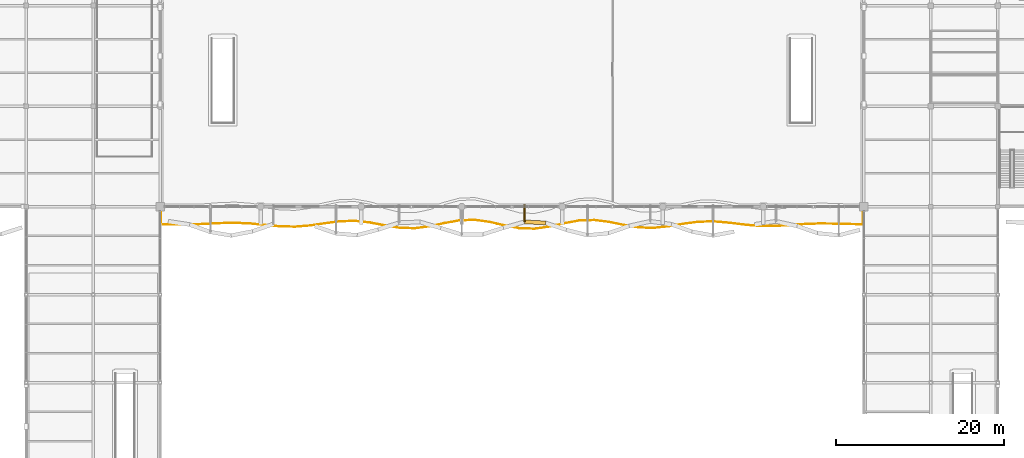
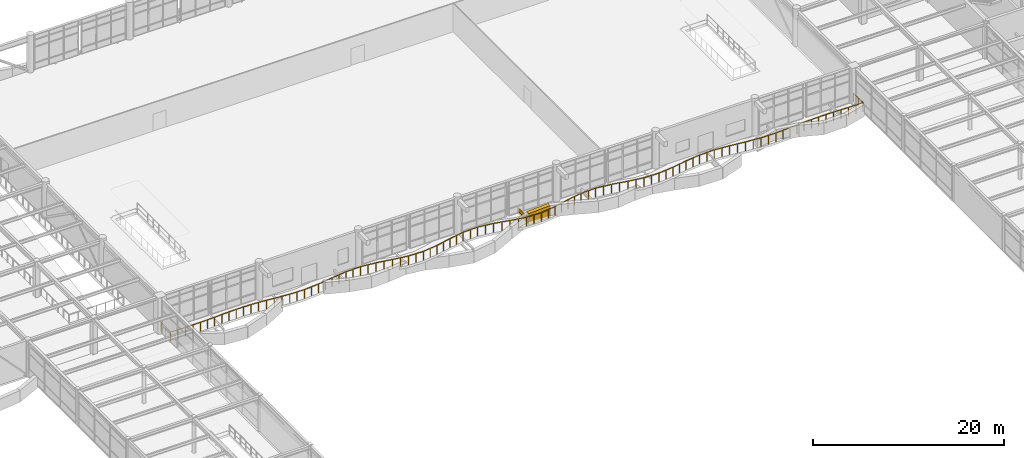
# One storey, part 60 of 72: 3 coverings, 1 railing.
"""IFC4 building model written with IfcOpenShell, lengths in metres."""

from ifc_helpers import new_model, si_unit, direction, frame, frame_2d, origin, origin_2d, place, context, subcontext, project, spatial, polyline, rectangle, circle, outline, extrude, material, layer, layer_set, type_object, element, save


model = new_model("IFC4")

# Units and contexts
model_context = context("Model", 3, precision=1e-05, world=origin(), true_north=direction((0.0, 1.0)))
body_context = subcontext(model_context, "Body", "Model", "MODEL_VIEW")
ifc_project = project(units=[si_unit("LENGTHUNIT", "METRE"), si_unit("AREAUNIT", "SQUARE_METRE"), si_unit("VOLUMEUNIT", "CUBIC_METRE"), si_unit("PLANEANGLEUNIT", "RADIAN"), si_unit("MASSUNIT", "GRAM", prefix="KILO")], contexts=[model_context])

# Site, building, storey
site_placement = place(None, origin())
site = spatial("IfcSite", under=ifc_project, at=site_placement, CompositionType="ELEMENT")
building_placement = place(site_placement, origin())
building = spatial("IfcBuilding", under=site, at=building_placement, Name="Keelwater Ferry Terminal", CompositionType="ELEMENT")
storey_placement = place(building_placement, frame((0.0, 0.0, 5.39990234375)))
storey = spatial("IfcBuildingStorey", under=building, at=storey_placement, Name="L01", CompositionType="ELEMENT", Elevation=5.39990234375)

# Railing
ifc_material_1 = material(Name="Marine stainless steel and laminated glass balustrade", Category="steel")
railing_type = type_object("IfcRailingType", Name="BL-115 Waterfront Promenade Balustrade", PredefinedType="BALUSTRADE", material=ifc_material_1)
railing_placement = place(storey_placement, frame((48.080078125, 41.949951171875, 0.0)))
element("IfcRailing", 1, at=railing_placement, inside=storey, type_object=railing_type, Name="L01 Waterfront Balcony Guard 1", PredefinedType="BALUSTRADE", context=body_context, shape_type="SweptSolid", body=[
    extrude(circle(Radius=0.02685546875, at=origin_2d()), frame((0.0, 0.0, 1.123046875), z_axis=(0.0, -1.0, 0.0), x_axis=(1.0, 0.0, 0.0)), (0.0, 0.0, 1.0), 2.070068359375),
    extrude(circle(Radius=0.02685546875, at=origin_2d()), frame((0.0, -2.070068359375, 1.123046875), z_axis=(0.999819114589, -0.01901941384, 0.0), x_axis=(0.01901941384, 0.999819114589, 0.0)), (0.0, 0.0, 1.0), 1.7841796875),
    extrude(circle(Radius=0.02685546875, at=origin_2d()), frame((1.783935546875, -2.10400390625, 1.123046875), z_axis=(0.999994147142, 0.003421356737, 0.0), x_axis=(-0.003421356737, 0.999994147142, 0.0)), (0.0, 0.0, 1.0), 1.783935546875),
    extrude(circle(Radius=0.02685546875, at=origin_2d()), frame((3.56787109375, -2.097900390625, 1.123046875), z_axis=(0.999228690808, 0.039268606636, 0.0), x_axis=(-0.039268606636, 0.999228690808, 0.0)), (0.0, 0.0, 1.0), 1.784423828125),
    extrude(circle(Radius=0.02685546875, at=origin_2d()), frame((5.350830078125, -2.02783203125, 1.123046875), z_axis=(0.998679046807, 0.051382501587, 0.0), x_axis=(-0.051382501587, 0.998679046807, 0.0)), (0.0, 0.0, 1.0), 1.78662109375),
    extrude(circle(Radius=0.02685546875, at=origin_2d()), frame((7.135009765625, -1.93603515625, 1.123046875), z_axis=(0.999816503278, 0.019156194123, 0.0), x_axis=(-0.019156194123, 0.999816503278, 0.0)), (0.0, 0.0, 1.0), 1.7841796875),
    extrude(circle(Radius=0.02685546875, at=origin_2d()), frame((8.9189453125, -1.90185546875, 1.123046875), z_axis=(0.998944441552, -0.045934765617, 0.0), x_axis=(0.045934765617, 0.998944441552, 0.0)), (0.0, 0.0, 1.0), 1.785888671875),
    extrude(circle(Radius=0.02685546875, at=origin_2d()), frame((10.702880859375, -1.98388671875, 1.123046875), z_axis=(0.995220222911, -0.097656069499, 0.0), x_axis=(0.097656069499, 0.995220222911, 0.0)), (0.0, 0.0, 1.0), 1.79248046875),
    extrude(circle(Radius=0.02685546875, at=origin_2d()), frame((12.48681640625, -2.158935546875, 1.123046875), z_axis=(0.995698877911, -0.09264849986, 0.0), x_axis=(0.09264849986, 0.995698877911, 0.0)), (0.0, 0.0, 1.0), 1.7919921875),
    extrude(circle(Radius=0.02685546875, at=origin_2d()), frame((14.27099609375, -2.324951171875, 1.123046875), z_axis=(0.999783472278, -0.0208088577, 0.0), x_axis=(0.0208088577, 0.999783472278, 0.0)), (0.0, 0.0, 1.0), 1.783447265625),
    extrude(circle(Radius=0.02685546875, at=origin_2d()), frame((16.053955078125, -2.362060546875, 1.123046875), z_axis=(0.996667890588, 0.081566634538, 0.0), x_axis=(-0.081566634538, 0.996667890588, 0.0)), (0.0, 0.0, 1.0), 1.789794921875),
    extrude(circle(Radius=0.02685546875, at=origin_2d()), frame((17.837890625, -2.216064453125, 1.123046875), z_axis=(0.988897604589, 0.148598545209, 0.0), x_axis=(-0.148598545209, 0.988897604589, 0.0)), (0.0, 0.0, 1.0), 1.803955078125),
    extrude(circle(Radius=0.02685546875, at=origin_2d()), frame((19.621826171875, -1.947998046875, 1.123046875), z_axis=(0.991569362267, 0.129577003416, 0.0), x_axis=(-0.129577003416, 0.991569362267, 0.0)), (0.0, 0.0, 1.0), 1.79931640625),
    extrude(circle(Radius=0.02685546875, at=origin_2d()), frame((21.406005859375, -1.71484375, 1.123046875), z_axis=(0.9997100466, 0.024079508444, 0.0), x_axis=(-0.024079508444, 0.9997100466, 0.0)), (0.0, 0.0, 1.0), 1.784423828125),
    extrude(circle(Radius=0.02685546875, at=origin_2d()), frame((23.18994140625, -1.671875, 1.123046875), z_axis=(0.993896997726, -0.11031209322, 0.0), x_axis=(0.11031209322, 0.993896997726, 0.0)), (0.0, 0.0, 1.0), 1.794921875),
    extrude(circle(Radius=0.02685546875, at=origin_2d()), frame((24.973876953125, -1.869873046875, 1.123046875), z_axis=(0.982191116652, -0.187884566611, 0.0), x_axis=(0.187884566611, 0.982191116652, 0.0)), (0.0, 0.0, 1.0), 1.815185546875),
    extrude(circle(Radius=0.02685546875, at=origin_2d()), frame((26.7568359375, -2.2109375, 1.123046875), z_axis=(0.98738323477, -0.158348816523, 0.0), x_axis=(0.158348816523, 0.98738323477, 0.0)), (0.0, 0.0, 1.0), 1.806884765625),
    extrude(circle(Radius=0.02685546875, at=origin_2d()), frame((28.541015625, -2.4970703125, 1.123046875), z_axis=(0.999610508185, -0.027907560376, 0.0), x_axis=(0.027907560376, 0.999610508185, 0.0)), (0.0, 0.0, 1.0), 1.78466796875),
    extrude(circle(Radius=0.02685546875, at=origin_2d()), frame((30.324951171875, -2.546875, 1.123046875), z_axis=(0.991654055818, 0.128927241416, 0.0), x_axis=(-0.128927241416, 0.991654055818, 0.0)), (0.0, 0.0, 1.0), 1.798828125),
    extrude(circle(Radius=0.02685546875, at=origin_2d()), frame((32.10888671875, -2.31494140625, 1.123046875), z_axis=(0.976939250884, 0.213517446786, 0.0), x_axis=(-0.213517446786, 0.976939250884, 0.0)), (0.0, 0.0, 1.0), 1.825927734375),
    extrude(circle(Radius=0.02685546875, at=origin_2d()), frame((33.892822265625, -1.925048828125, 1.123046875), z_axis=(0.984193653701, 0.177095601343, 0.0), x_axis=(-0.177095601343, 0.984193653701, 0.0)), (0.0, 0.0, 1.0), 1.812744140625),
    extrude(circle(Radius=0.02685546875, at=origin_2d()), frame((35.677001953125, -1.60400390625, 1.123046875), z_axis=(0.999487062006, 0.032025191361, 0.0), x_axis=(-0.032025191361, 0.999487062006, 0.0)), (0.0, 0.0, 1.0), 1.783935546875),
    extrude(circle(Radius=0.02685546875, at=origin_2d()), frame((37.4599609375, -1.546875, 1.123046875), z_axis=(0.990471226052, -0.137719825601, 0.0), x_axis=(0.137719825601, 0.990471226052, 0.0)), (0.0, 0.0, 1.0), 1.801025390625),
    extrude(circle(Radius=0.02685546875, at=origin_2d()), frame((39.243896484375, -1.794921875, 1.123046875), z_axis=(0.974339480694, -0.225083487534, 0.0), x_axis=(0.225083487534, 0.974339480694, 0.0)), (0.0, 0.0, 1.0), 1.830810546875),
    extrude(circle(Radius=0.02685546875, at=origin_2d()), frame((41.02783203125, -2.20703125, 1.123046875), z_axis=(0.982926958604, -0.183996179443, 0.0), x_axis=(0.183996179443, 0.982926958604, 0.0)), (0.0, 0.0, 1.0), 1.815185546875),
    extrude(circle(Radius=0.02685546875, at=origin_2d()), frame((42.81201171875, -2.541015625, 1.123046875), z_axis=(0.9994152224, -0.034193760175, 0.0), x_axis=(0.034193760175, 0.9994152224, 0.0)), (0.0, 0.0, 1.0), 1.784912109375),
    extrude(circle(Radius=0.02685546875, at=origin_2d()), frame((44.595947265625, -2.60205078125, 1.123046875), z_axis=(0.990545049423, 0.137187845903, 0.0), x_axis=(-0.137187845903, 0.990545049423, 0.0)), (0.0, 0.0, 1.0), 1.801025390625),
    extrude(circle(Radius=0.02685546875, at=origin_2d()), frame((46.3798828125, -2.35498046875, 1.123046875), z_axis=(0.975270409097, 0.221014997543, 0.0), x_axis=(-0.221014997543, 0.975270409097, 0.0)), (0.0, 0.0, 1.0), 1.828125),
    extrude(circle(Radius=0.02685546875, at=origin_2d()), frame((48.162841796875, -1.950927734375, 1.123046875), z_axis=(0.983910813314, 0.178660324202, 0.0), x_axis=(-0.178660324202, 0.983910813314, 0.0)), (0.0, 0.0, 1.0), 1.8134765625),
    extrude(circle(Radius=0.02685546875, at=origin_2d()), frame((49.947021484375, -1.626953125, 1.123046875), z_axis=(0.999452019089, 0.033100778516, 0.0), x_axis=(-0.033100778516, 0.999452019089, 0.0)), (0.0, 0.0, 1.0), 1.784912109375),
    extrude(circle(Radius=0.02685546875, at=origin_2d()), frame((51.73095703125, -1.56787109375, 1.123046875), z_axis=(0.991929449601, -0.126791036804, 0.0), x_axis=(0.126791036804, 0.991929449601, 0.0)), (0.0, 0.0, 1.0), 1.79833984375),
    extrude(circle(Radius=0.02685546875, at=origin_2d()), frame((53.514892578125, -1.7958984375, 1.123046875), z_axis=(0.979361164921, -0.202118056206, 0.0), x_axis=(0.202118056206, 0.979361164921, 0.0)), (0.0, 0.0, 1.0), 1.821533203125),
    extrude(circle(Radius=0.02685546875, at=origin_2d()), frame((55.298828125, -2.1640625, 1.123046875), z_axis=(0.987064492957, -0.160323693643, 0.0), x_axis=(0.160323693643, 0.987064492957, 0.0)), (0.0, 0.0, 1.0), 1.8076171875),
    extrude(circle(Radius=0.02685546875, at=origin_2d()), frame((57.0830078125, -2.453857421875, 1.123046875), z_axis=(0.999590745648, -0.028606663815, 0.0), x_axis=(0.028606663815, 0.999590745648, 0.0)), (0.0, 0.0, 1.0), 1.78369140625),
    extrude(circle(Radius=0.02685546875, at=origin_2d()), frame((58.865966796875, -2.5048828125, 1.123046875), z_axis=(0.994147957636, 0.108027025915, 0.0), x_axis=(-0.108027025915, 0.994147957636, 0.0)), (0.0, 0.0, 1.0), 1.79443359375),
    extrude(circle(Radius=0.02685546875, at=origin_2d()), frame((60.64990234375, -2.31103515625, 1.123046875), z_axis=(0.985501357778, 0.169667539084, 0.0), x_axis=(-0.169667539084, 0.985501357778, 0.0)), (0.0, 0.0, 1.0), 1.810302734375),
    extrude(circle(Radius=0.02685546875, at=origin_2d()), frame((62.433837890625, -2.00390625, 1.123046875), z_axis=(0.991586786738, 0.129443595313, 0.0), x_axis=(-0.129443595313, 0.991586786738, 0.0)), (0.0, 0.0, 1.0), 1.79931640625),
    extrude(circle(Radius=0.02685546875, at=origin_2d()), frame((64.218017578125, -1.77099609375, 1.123046875), z_axis=(0.999772179629, 0.021344527169, 0.0), x_axis=(-0.021344527169, 0.999772179629, 0.0)), (0.0, 0.0, 1.0), 1.784423828125),
    extrude(circle(Radius=0.02685546875, at=origin_2d()), frame((66.001953125, -1.73291015625, 1.123046875), z_axis=(0.996431027044, -0.084410949191, 0.0), x_axis=(0.084410949191, 0.996431027044, 0.0)), (0.0, 0.0, 1.0), 1.790283203125),
    extrude(circle(Radius=0.02685546875, at=origin_2d()), frame((67.785888671875, -1.884033203125, 1.123046875), z_axis=(0.992141427562, -0.125121491823, 0.0), x_axis=(0.125121491823, 0.992141427562, 0.0)), (0.0, 0.0, 1.0), 1.797119140625),
    extrude(circle(Radius=0.02685546875, at=origin_2d()), frame((69.56884765625, -2.10888671875, 1.123046875), z_axis=(0.996103832873, -0.088188174585, 0.0), x_axis=(0.088188174585, 0.996103832873, 0.0)), (0.0, 0.0, 1.0), 1.791259765625),
    extrude(circle(Radius=0.02685546875, at=origin_2d()), frame((71.35302734375, -2.266845703125, 1.123046875), z_axis=(0.999959210058, -0.009032066219, 0.0), x_axis=(0.009032066219, 0.999959210058, 0.0)), (0.0, 0.0, 1.0), 1.783935546875),
    extrude(circle(Radius=0.02685546875, at=origin_2d()), frame((73.136962890625, -2.282958984375, 1.123046875), z_axis=(0.998398789604, 0.056567277802, 0.0), x_axis=(-0.056567277802, 0.998398789604, 0.0)), (0.0, 0.0, 1.0), 1.786865234375),
    extrude(circle(Radius=0.02685546875, at=origin_2d()), frame((74.9208984375, -2.181884765625, 1.123046875), z_axis=(0.997438565584, 0.071528371201, 0.0), x_axis=(-0.071528371201, 0.997438565584, 0.0)), (0.0, 0.0, 1.0), 1.78857421875),
    extrude(circle(Radius=0.02685546875, at=origin_2d()), frame((76.704833984375, -2.053955078125, 1.123046875), z_axis=(0.999251041624, 0.038695682099, 0.0), x_axis=(-0.038695682099, 0.999251041624, 0.0)), (0.0, 0.0, 1.0), 1.785400390625),
    extrude(circle(Radius=0.02685546875, at=origin_2d()), frame((78.489013671875, -1.98486328125, 1.123046875), z_axis=(0.999976563533, -0.00684634098, 0.0), x_axis=(0.00684634098, 0.999976563533, 0.0)), (0.0, 0.0, 1.0), 1.782958984375),
    extrude(circle(Radius=0.02685546875, at=origin_2d()), frame((80.27197265625, -1.9970703125, 1.123046875), z_axis=(0.999625624135, -0.027360767049, 0.0), x_axis=(0.027360767049, 0.999625624135, 0.0)), (0.0, 0.0, 1.0), 1.78466796875),
    extrude(circle(Radius=0.02685546875, at=origin_2d()), frame((82.055908203125, -2.0458984375, 1.123046875), z_axis=(0.999908229649, -0.013547408613, 0.0), x_axis=(0.013547408613, 0.999908229649, 0.0)), (0.0, 0.0, 1.0), 1.7841796875),
    extrude(circle(Radius=0.02685546875, at=origin_2d()), frame((83.83984375, -2.070068359375, 1.123046875), z_axis=(0.0, 1.0, 0.0), x_axis=(-1.0, 0.0, 0.0)), (0.0, 0.0, 1.0), 2.070068359375),
    extrude(circle(Radius=0.02392578125, at=origin_2d()), origin(), (0.0, 0.0, 1.0), 1.095947265625),
    extrude(circle(Radius=0.02392578125, at=origin_2d()), frame((0.0, -1.03515625, 0.0)), (0.0, 0.0, 1.0), 1.095947265625),
    extrude(circle(Radius=0.02392578125, at=origin_2d()), frame((0.0, -2.070068359375, 0.0)), (0.0, 0.0, 1.0), 1.095947265625),
    extrude(circle(Radius=0.02392578125, at=origin_2d()), frame((0.89208984375, -2.0869140625, 0.0)), (0.0, 0.0, 1.0), 1.095947265625),
    extrude(circle(Radius=0.02392578125, at=origin_2d()), frame((1.783935546875, -2.10400390625, 0.0)), (0.0, 0.0, 1.0), 1.095947265625),
    extrude(circle(Radius=0.02392578125, at=origin_2d()), frame((2.67578125, -2.10107421875, 0.0)), (0.0, 0.0, 1.0), 1.095947265625),
    extrude(circle(Radius=0.02392578125, at=origin_2d()), frame((3.56787109375, -2.097900390625, 0.0)), (0.0, 0.0, 1.0), 1.095947265625),
    extrude(circle(Radius=0.02392578125, at=origin_2d()), frame((4.45947265625, -2.06298828125, 0.0)), (0.0, 0.0, 1.0), 1.095947265625),
    extrude(circle(Radius=0.02392578125, at=origin_2d()), frame((5.350830078125, -2.02783203125, 0.0)), (0.0, 0.0, 1.0), 1.095947265625),
    extrude(circle(Radius=0.02392578125, at=origin_2d()), frame((6.242919921875, -1.98193359375, 0.0)), (0.0, 0.0, 1.0), 1.095947265625),
    extrude(circle(Radius=0.02392578125, at=origin_2d()), frame((7.135009765625, -1.93603515625, 0.0)), (0.0, 0.0, 1.0), 1.095947265625),
    extrude(circle(Radius=0.02392578125, at=origin_2d()), frame((8.02685546875, -1.9189453125, 0.0)), (0.0, 0.0, 1.0), 1.095947265625),
    extrude(circle(Radius=0.02392578125, at=origin_2d()), frame((8.9189453125, -1.90185546875, 0.0)), (0.0, 0.0, 1.0), 1.095947265625),
    extrude(circle(Radius=0.02392578125, at=origin_2d()), frame((9.81103515625, -1.94287109375, 0.0)), (0.0, 0.0, 1.0), 1.095947265625),
    extrude(circle(Radius=0.02392578125, at=origin_2d()), frame((10.702880859375, -1.98388671875, 0.0)), (0.0, 0.0, 1.0), 1.095947265625),
    extrude(circle(Radius=0.02392578125, at=origin_2d()), frame((11.5947265625, -2.0712890625, 0.0)), (0.0, 0.0, 1.0), 1.095947265625),
    extrude(circle(Radius=0.02392578125, at=origin_2d()), frame((12.48681640625, -2.158935546875, 0.0)), (0.0, 0.0, 1.0), 1.095947265625),
    extrude(circle(Radius=0.02392578125, at=origin_2d()), frame((13.37890625, -2.241943359375, 0.0)), (0.0, 0.0, 1.0), 1.095947265625),
    extrude(circle(Radius=0.02392578125, at=origin_2d()), frame((14.27099609375, -2.324951171875, 0.0)), (0.0, 0.0, 1.0), 1.095947265625),
    extrude(circle(Radius=0.02392578125, at=origin_2d()), frame((15.16259765625, -2.343505859375, 0.0)), (0.0, 0.0, 1.0), 1.095947265625),
    extrude(circle(Radius=0.02392578125, at=origin_2d()), frame((16.053955078125, -2.362060546875, 0.0)), (0.0, 0.0, 1.0), 1.095947265625),
    extrude(circle(Radius=0.02392578125, at=origin_2d()), frame((16.94580078125, -2.2890625, 0.0)), (0.0, 0.0, 1.0), 1.095947265625),
    extrude(circle(Radius=0.02392578125, at=origin_2d()), frame((17.837890625, -2.216064453125, 0.0)), (0.0, 0.0, 1.0), 1.095947265625),
    extrude(circle(Radius=0.02392578125, at=origin_2d()), frame((18.72998046875, -2.08203125, 0.0)), (0.0, 0.0, 1.0), 1.095947265625),
    extrude(circle(Radius=0.02392578125, at=origin_2d()), frame((19.621826171875, -1.947998046875, 0.0)), (0.0, 0.0, 1.0), 1.095947265625),
    extrude(circle(Radius=0.02392578125, at=origin_2d()), frame((20.513916015625, -1.83154296875, 0.0)), (0.0, 0.0, 1.0), 1.095947265625),
    extrude(circle(Radius=0.02392578125, at=origin_2d()), frame((21.406005859375, -1.71484375, 0.0)), (0.0, 0.0, 1.0), 1.095947265625),
    extrude(circle(Radius=0.02392578125, at=origin_2d()), frame((22.2978515625, -1.693359375, 0.0)), (0.0, 0.0, 1.0), 1.095947265625),
    extrude(circle(Radius=0.02392578125, at=origin_2d()), frame((23.18994140625, -1.671875, 0.0)), (0.0, 0.0, 1.0), 1.095947265625),
    extrude(circle(Radius=0.02392578125, at=origin_2d()), frame((24.08203125, -1.77099609375, 0.0)), (0.0, 0.0, 1.0), 1.095947265625),
    extrude(circle(Radius=0.02392578125, at=origin_2d()), frame((24.973876953125, -1.869873046875, 0.0)), (0.0, 0.0, 1.0), 1.095947265625),
    extrude(circle(Radius=0.02392578125, at=origin_2d()), frame((25.865234375, -2.04052734375, 0.0)), (0.0, 0.0, 1.0), 1.095947265625),
    extrude(circle(Radius=0.02392578125, at=origin_2d()), frame((26.7568359375, -2.2109375, 0.0)), (0.0, 0.0, 1.0), 1.095947265625),
    extrude(circle(Radius=0.02392578125, at=origin_2d()), frame((27.64892578125, -2.35400390625, 0.0)), (0.0, 0.0, 1.0), 1.095947265625),
    extrude(circle(Radius=0.02392578125, at=origin_2d()), frame((28.541015625, -2.4970703125, 0.0)), (0.0, 0.0, 1.0), 1.095947265625),
    extrude(circle(Radius=0.02392578125, at=origin_2d()), frame((29.43310546875, -2.52197265625, 0.0)), (0.0, 0.0, 1.0), 1.095947265625),
    extrude(circle(Radius=0.02392578125, at=origin_2d()), frame((30.324951171875, -2.546875, 0.0)), (0.0, 0.0, 1.0), 1.095947265625),
    extrude(circle(Radius=0.02392578125, at=origin_2d()), frame((31.216796875, -2.430908203125, 0.0)), (0.0, 0.0, 1.0), 1.095947265625),
    extrude(circle(Radius=0.02392578125, at=origin_2d()), frame((32.10888671875, -2.31494140625, 0.0)), (0.0, 0.0, 1.0), 1.095947265625),
    extrude(circle(Radius=0.02392578125, at=origin_2d()), frame((33.0009765625, -2.1201171875, 0.0)), (0.0, 0.0, 1.0), 1.095947265625),
    extrude(circle(Radius=0.02392578125, at=origin_2d()), frame((33.892822265625, -1.925048828125, 0.0)), (0.0, 0.0, 1.0), 1.095947265625),
    extrude(circle(Radius=0.02392578125, at=origin_2d()), frame((34.784912109375, -1.7646484375, 0.0)), (0.0, 0.0, 1.0), 1.095947265625),
    extrude(circle(Radius=0.02392578125, at=origin_2d()), frame((35.677001953125, -1.60400390625, 0.0)), (0.0, 0.0, 1.0), 1.095947265625),
    extrude(circle(Radius=0.02392578125, at=origin_2d()), frame((36.568359375, -1.575439453125, 0.0)), (0.0, 0.0, 1.0), 1.095947265625),
    extrude(circle(Radius=0.02392578125, at=origin_2d()), frame((37.4599609375, -1.546875, 0.0)), (0.0, 0.0, 1.0), 1.095947265625),
    extrude(circle(Radius=0.02392578125, at=origin_2d()), frame((38.35205078125, -1.6708984375, 0.0)), (0.0, 0.0, 1.0), 1.095947265625),
    extrude(circle(Radius=0.02392578125, at=origin_2d()), frame((39.243896484375, -1.794921875, 0.0)), (0.0, 0.0, 1.0), 1.095947265625),
    extrude(circle(Radius=0.02392578125, at=origin_2d()), frame((40.1357421875, -2.0009765625, 0.0)), (0.0, 0.0, 1.0), 1.095947265625),
    extrude(circle(Radius=0.02392578125, at=origin_2d()), frame((41.02783203125, -2.20703125, 0.0)), (0.0, 0.0, 1.0), 1.095947265625),
    extrude(circle(Radius=0.02392578125, at=origin_2d()), frame((41.919921875, -2.3740234375, 0.0)), (0.0, 0.0, 1.0), 1.095947265625),
    extrude(circle(Radius=0.02392578125, at=origin_2d()), frame((42.81201171875, -2.541015625, 0.0)), (0.0, 0.0, 1.0), 1.095947265625),
    extrude(circle(Radius=0.02392578125, at=origin_2d()), frame((43.7041015625, -2.571533203125, 0.0)), (0.0, 0.0, 1.0), 1.095947265625),
    extrude(circle(Radius=0.02392578125, at=origin_2d()), frame((44.595947265625, -2.60205078125, 0.0)), (0.0, 0.0, 1.0), 1.095947265625),
    extrude(circle(Radius=0.02392578125, at=origin_2d()), frame((45.48779296875, -2.478515625, 0.0)), (0.0, 0.0, 1.0), 1.095947265625),
    extrude(circle(Radius=0.02392578125, at=origin_2d()), frame((46.3798828125, -2.35498046875, 0.0)), (0.0, 0.0, 1.0), 1.095947265625),
    extrude(circle(Radius=0.02392578125, at=origin_2d()), frame((47.271484375, -2.15283203125, 0.0)), (0.0, 0.0, 1.0), 1.095947265625),
    extrude(circle(Radius=0.02392578125, at=origin_2d()), frame((48.162841796875, -1.950927734375, 0.0)), (0.0, 0.0, 1.0), 1.095947265625),
    extrude(circle(Radius=0.02392578125, at=origin_2d()), frame((49.054931640625, -1.7890625, 0.0)), (0.0, 0.0, 1.0), 1.095947265625),
    extrude(circle(Radius=0.02392578125, at=origin_2d()), frame((49.947021484375, -1.626953125, 0.0)), (0.0, 0.0, 1.0), 1.095947265625),
    extrude(circle(Radius=0.02392578125, at=origin_2d()), frame((50.8388671875, -1.597412109375, 0.0)), (0.0, 0.0, 1.0), 1.095947265625),
    extrude(circle(Radius=0.02392578125, at=origin_2d()), frame((51.73095703125, -1.56787109375, 0.0)), (0.0, 0.0, 1.0), 1.095947265625),
    extrude(circle(Radius=0.02392578125, at=origin_2d()), frame((52.623046875, -1.681884765625, 0.0)), (0.0, 0.0, 1.0), 1.095947265625),
    extrude(circle(Radius=0.02392578125, at=origin_2d()), frame((53.514892578125, -1.7958984375, 0.0)), (0.0, 0.0, 1.0), 1.095947265625),
    extrude(circle(Radius=0.02392578125, at=origin_2d()), frame((54.40673828125, -1.97998046875, 0.0)), (0.0, 0.0, 1.0), 1.095947265625),
    extrude(circle(Radius=0.02392578125, at=origin_2d()), frame((55.298828125, -2.1640625, 0.0)), (0.0, 0.0, 1.0), 1.095947265625),
    extrude(circle(Radius=0.02392578125, at=origin_2d()), frame((56.19091796875, -2.30908203125, 0.0)), (0.0, 0.0, 1.0), 1.095947265625),
    extrude(circle(Radius=0.02392578125, at=origin_2d()), frame((57.0830078125, -2.453857421875, 0.0)), (0.0, 0.0, 1.0), 1.095947265625),
    extrude(circle(Radius=0.02392578125, at=origin_2d()), frame((57.974609375, -2.4794921875, 0.0)), (0.0, 0.0, 1.0), 1.095947265625),
    extrude(circle(Radius=0.02392578125, at=origin_2d()), frame((58.865966796875, -2.5048828125, 0.0)), (0.0, 0.0, 1.0), 1.095947265625),
    extrude(circle(Radius=0.02392578125, at=origin_2d()), frame((59.7578125, -2.407958984375, 0.0)), (0.0, 0.0, 1.0), 1.095947265625),
    extrude(circle(Radius=0.02392578125, at=origin_2d()), frame((60.64990234375, -2.31103515625, 0.0)), (0.0, 0.0, 1.0), 1.095947265625),
    extrude(circle(Radius=0.02392578125, at=origin_2d()), frame((61.5419921875, -2.157470703125, 0.0)), (0.0, 0.0, 1.0), 1.095947265625),
    extrude(circle(Radius=0.02392578125, at=origin_2d()), frame((62.433837890625, -2.00390625, 0.0)), (0.0, 0.0, 1.0), 1.095947265625),
    extrude(circle(Radius=0.02392578125, at=origin_2d()), frame((63.325927734375, -1.887451171875, 0.0)), (0.0, 0.0, 1.0), 1.095947265625),
    extrude(circle(Radius=0.02392578125, at=origin_2d()), frame((64.218017578125, -1.77099609375, 0.0)), (0.0, 0.0, 1.0), 1.095947265625),
    extrude(circle(Radius=0.02392578125, at=origin_2d()), frame((65.10986328125, -1.751953125, 0.0)), (0.0, 0.0, 1.0), 1.095947265625),
    extrude(circle(Radius=0.02392578125, at=origin_2d()), frame((66.001953125, -1.73291015625, 0.0)), (0.0, 0.0, 1.0), 1.095947265625),
    extrude(circle(Radius=0.02392578125, at=origin_2d()), frame((66.89404296875, -1.80859375, 0.0)), (0.0, 0.0, 1.0), 1.095947265625),
    extrude(circle(Radius=0.02392578125, at=origin_2d()), frame((67.785888671875, -1.884033203125, 0.0)), (0.0, 0.0, 1.0), 1.095947265625),
    extrude(circle(Radius=0.02392578125, at=origin_2d()), frame((68.67724609375, -1.99658203125, 0.0)), (0.0, 0.0, 1.0), 1.095947265625),
    extrude(circle(Radius=0.02392578125, at=origin_2d()), frame((69.56884765625, -2.10888671875, 0.0)), (0.0, 0.0, 1.0), 1.095947265625),
    extrude(circle(Radius=0.02392578125, at=origin_2d()), frame((70.4609375, -2.18798828125, 0.0)), (0.0, 0.0, 1.0), 1.095947265625),
    extrude(circle(Radius=0.02392578125, at=origin_2d()), frame((71.35302734375, -2.266845703125, 0.0)), (0.0, 0.0, 1.0), 1.095947265625),
    extrude(circle(Radius=0.02392578125, at=origin_2d()), frame((72.2451171875, -2.27490234375, 0.0)), (0.0, 0.0, 1.0), 1.095947265625),
    extrude(circle(Radius=0.02392578125, at=origin_2d()), frame((73.136962890625, -2.282958984375, 0.0)), (0.0, 0.0, 1.0), 1.095947265625),
    extrude(circle(Radius=0.02392578125, at=origin_2d()), frame((74.02880859375, -2.232421875, 0.0)), (0.0, 0.0, 1.0), 1.095947265625),
    extrude(circle(Radius=0.02392578125, at=origin_2d()), frame((74.9208984375, -2.181884765625, 0.0)), (0.0, 0.0, 1.0), 1.095947265625),
    extrude(circle(Radius=0.02392578125, at=origin_2d()), frame((75.81298828125, -2.117919921875, 0.0)), (0.0, 0.0, 1.0), 1.095947265625),
    extrude(circle(Radius=0.02392578125, at=origin_2d()), frame((76.704833984375, -2.053955078125, 0.0)), (0.0, 0.0, 1.0), 1.095947265625),
    extrude(circle(Radius=0.02392578125, at=origin_2d()), frame((77.596923828125, -2.01953125, 0.0)), (0.0, 0.0, 1.0), 1.095947265625),
    extrude(circle(Radius=0.02392578125, at=origin_2d()), frame((78.489013671875, -1.98486328125, 0.0)), (0.0, 0.0, 1.0), 1.095947265625),
    extrude(circle(Radius=0.02392578125, at=origin_2d()), frame((79.38037109375, -1.990966796875, 0.0)), (0.0, 0.0, 1.0), 1.095947265625),
    extrude(circle(Radius=0.02392578125, at=origin_2d()), frame((80.27197265625, -1.9970703125, 0.0)), (0.0, 0.0, 1.0), 1.095947265625),
    extrude(circle(Radius=0.02392578125, at=origin_2d()), frame((81.1640625, -2.021484375, 0.0)), (0.0, 0.0, 1.0), 1.095947265625),
    extrude(circle(Radius=0.02392578125, at=origin_2d()), frame((82.055908203125, -2.0458984375, 0.0)), (0.0, 0.0, 1.0), 1.095947265625),
    extrude(circle(Radius=0.02392578125, at=origin_2d()), frame((82.94775390625, -2.05810546875, 0.0)), (0.0, 0.0, 1.0), 1.095947265625),
    extrude(circle(Radius=0.02392578125, at=origin_2d()), frame((83.83984375, -2.070068359375, 0.0)), (0.0, 0.0, 1.0), 1.095947265625),
    extrude(circle(Radius=0.02392578125, at=origin_2d()), frame((83.83984375, -1.03515625, 0.0)), (0.0, 0.0, 1.0), 1.095947265625),
    extrude(circle(Radius=0.02392578125, at=origin_2d()), frame((83.83984375, 0.0, 0.0)), (0.0, 0.0, 1.0), 1.095947265625),
])

# Coverings
ifc_material_2 = material(Name="Matte white architectural aluminium fascia ribbon", Category="aluminium")
ifc_layer = layer(ifc_material_2, 0.1201171875)
ifc_layer_set = layer_set([ifc_layer], Name="Matte white architectural aluminium fascia ribbon")
covering_type = type_object("IfcCoveringType", Name="RB-WHT Matte White Fascia Ribbon", PredefinedType="CLADDING", material=ifc_layer_set)
covering_1_placement = place(storey_placement, frame((91.47509765625, 40.18603515625, -0.473876953125), z_axis=(0.0, 0.0, 1.0), x_axis=(0.998580872476, -0.053256371694, 0.0)))
element("IfcCovering", 2, at=covering_1_placement, inside=storey, type_object=covering_type, Name="Concourse Lower Wave Fascia Ribbon 452", PredefinedType="CLADDING", context=body_context, shape_type="SweptSolid", body=[
    extrude(outline(polyline([(0.0, 0.0), (2.553466796875, 0.240966796875), (2.553466796875, 1.740966796875), (0.0, 1.5), (0.0, 0.0)])), frame((0.0, 0.22998046875, 0.0), z_axis=(0.0, -1.0, 0.0), x_axis=(1.0, 0.0, 0.0)), (0.0, 0.0, 1.0), 0.4599609375),
])
covering_2_placement = place(storey_placement, frame((91.5, 40.18505859375, 0.135986328125), z_axis=(0.0, 0.0, 1.0), x_axis=(0.0, 1.0, 0.0)))
element("IfcCovering", 3, at=covering_2_placement, inside=storey, type_object=covering_type, Name="Ribbon Horizontal Tie Bracket 456", PredefinedType="CLADDING", context=body_context, shape_type="SweptSolid", body=[
    extrude(rectangle(XDim=2.06494140625, YDim=0.159912109375, at=frame_2d((1.032470703125, 0.0))), origin(), (0.0, 0.0, 1.0), 0.280029296875),
])
covering_3_placement = place(storey_placement, frame((91.5, 40.18505859375, -0.25), z_axis=(0.0, 0.0, 1.0), x_axis=(0.0, 1.0, 0.0)))
element("IfcCovering", 4, at=covering_3_placement, inside=storey, type_object=covering_type, Name="Ribbon Slab Tie Bracket 459", PredefinedType="CLADDING", context=body_context, shape_type="SweptSolid", body=[
    extrude(rectangle(XDim=2.06494140625, YDim=0.159912109375, at=frame_2d((1.032470703125, 0.0))), origin(), (0.0, 0.0, 1.0), 0.300048828125),
])

save(model, "model.ifc")
